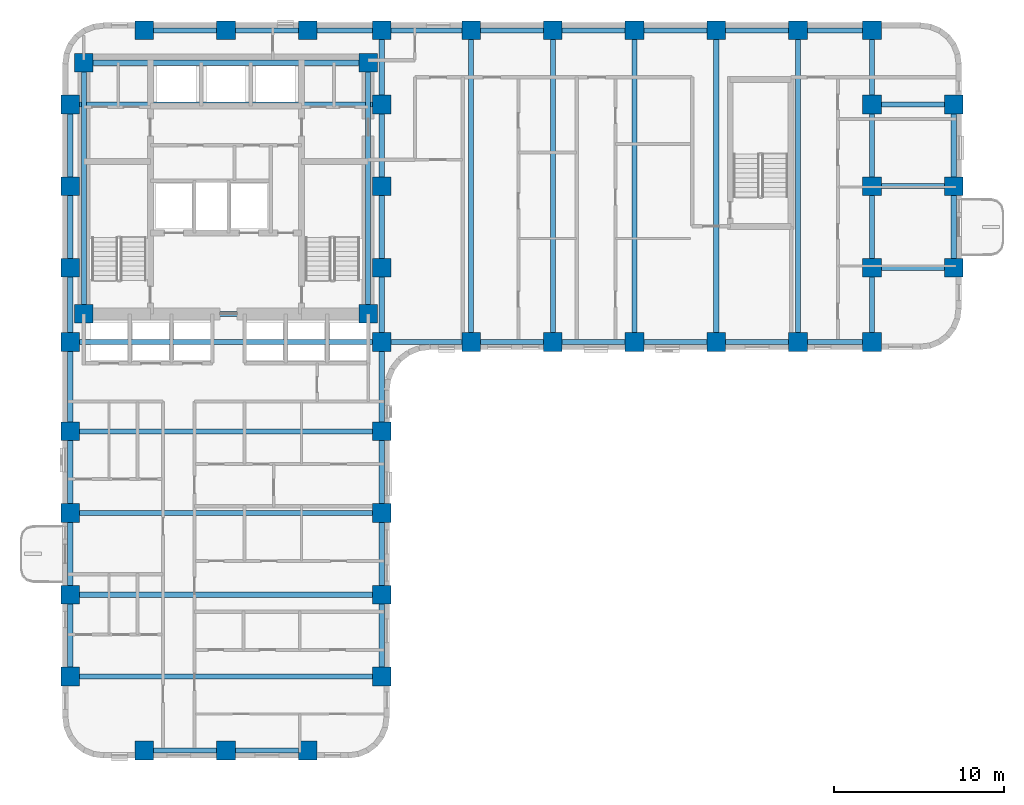
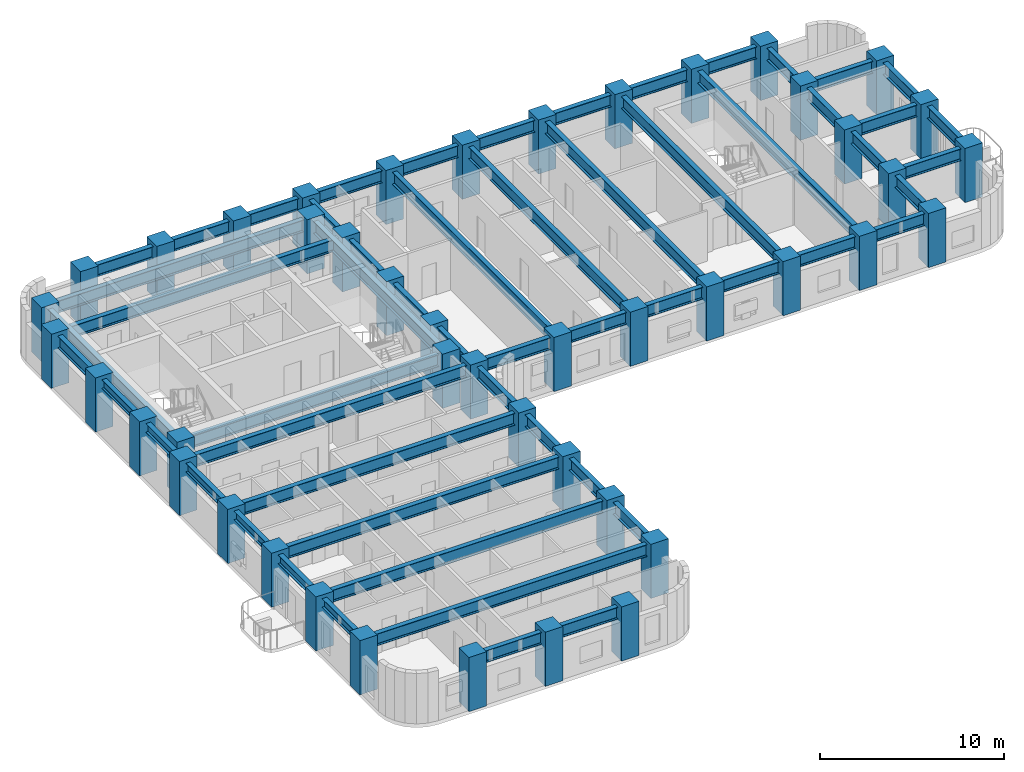
# One storey, part 1 of 11: 56 beams, 45 columns.
"""IFC4 building model written with IfcOpenShell, lengths in metres."""

from ifc_helpers import new_model, si_unit, direction, frame, origin, origin_2d, place, context, subcontext, project, spatial, rectangle, i_section, extrude, material, material_profile, profile_set, type_object, element, save


model = new_model("IFC4")

# Units and contexts
model_context = context("Model", 3, precision=1e-05, world=origin(), true_north=direction((0.0, 1.0)))
body_context = subcontext(model_context, "Body", "Model", "MODEL_VIEW")
ifc_project = project(units=[si_unit("LENGTHUNIT", "METRE"), si_unit("AREAUNIT", "SQUARE_METRE"), si_unit("VOLUMEUNIT", "CUBIC_METRE"), si_unit("PLANEANGLEUNIT", "RADIAN"), si_unit("MASSUNIT", "GRAM", prefix="KILO")], contexts=[model_context])

# Site, building, storey
site_placement = place(None, origin())
site = spatial("IfcSite", under=ifc_project, at=site_placement, CompositionType="ELEMENT")
building_placement = place(site_placement, origin())
building = spatial("IfcBuilding", under=site, at=building_placement, Name="Orvandelia Arch Residences", CompositionType="ELEMENT")
storey_placement = place(building_placement, frame((0.0, 0.0, 89.800048828125)))
storey = spatial("IfcBuildingStorey", under=building, at=storey_placement, Name="L23", CompositionType="ELEMENT", Elevation=89.800048828125)

# Columns
ifc_material_1 = material(Name="Concrete C80/95", Category="concrete")
ifc_material_profile_1 = material_profile(ifc_material_1, rectangle(XDim=1.10009765625, YDim=1.10009765625, at=origin_2d()), Name="Concrete C80/95", Category="concrete")
ifc_profile_set_1 = profile_set([ifc_material_profile_1], Name="Concrete C80/95")
column_type = type_object("IfcColumnType", Name="COL-TWR-1100", PredefinedType="COLUMN", material=ifc_profile_set_1)
for number, where, z_axis, x_axis, name in (
    (1, (5.25, 9.60009765625, 0.0), (0.0, 0.0, 1.0), (1.0, 0.0, 0.0), "Structural Column L23-W-W-96"),
    (2, (5.25, 14.39990234375, 0.0), (0.0, 0.0, 1.0), (1.0, 0.0, 0.0), "Structural Column L23-W-W-144"),
    (3, (5.25, 19.199951171875, 0.0), (0.0, 0.0, 1.0), (1.0, 0.0, 0.0), "Structural Column L23-W-W-192"),
    (4, (5.25, 24.0, 0.0), (0.0, 0.0, 1.0), (1.0, 0.0, 0.0), "Structural Column L23-W-W-240"),
    (5, (5.25, 29.25, 0.0), (0.0, 0.0, 1.0), (1.0, 0.0, 0.0), "Structural Column L23-W-W-292"),
    (6, (5.25, 33.60009765625, 0.0), (0.0, 0.0, 1.0), (1.0, 0.0, 0.0), "Structural Column L23-W-W-336"),
    (7, (5.25, 38.39990234375, 0.0), (0.0, 0.0, 1.0), (1.0, 0.0, 0.0), "Structural Column L23-W-W-384"),
    (8, (5.25, 43.199951171875, 0.0), (0.0, 0.0, 1.0), (1.0, 0.0, 0.0), "Structural Column L23-W-W-432"),
    (9, (6.050048828125, 30.89990234375, 0.0), (0.0, 0.0, 1.0), (1.0, 0.0, 0.0), "Structural Column L23-CR-SW"),
    (10, (6.050048828125, 45.64990234375, 0.0), (0.0, 0.0, 1.0), (1.0, 0.0, 0.0), "Structural Column L23-CR-NW"),
    (11, (9.60009765625, 5.25, 0.0), (0.0, 0.0, 1.0), (1.0, 0.0, 0.0), "Structural Column L23-W-S-96"),
    (12, (9.60009765625, 47.550048828125, 0.0), (0.0, 0.0, 1.0), (1.0, 0.0, 0.0), "Structural Column L23-W-N-96"),
    (13, (14.39990234375, 5.25, 0.0), (0.0, 0.0, 1.0), (1.0, 0.0, 0.0), "Structural Column L23-W-S-144"),
    (14, (14.39990234375, 47.550048828125, 0.0), (0.0, 0.0, 1.0), (1.0, 0.0, 0.0), "Structural Column L23-W-N-144"),
    (15, (19.199951171875, 5.25, 0.0), (0.0, 0.0, 1.0), (1.0, 0.0, 0.0), "Structural Column L23-W-S-192"),
    (16, (19.199951171875, 47.550048828125, 0.0), (0.0, 0.0, 1.0), (1.0, 0.0, 0.0), "Structural Column L23-W-N-192"),
    (17, (22.75, 30.89990234375, 0.0), (0.0, 0.0, 1.0), (1.0, 0.0, 0.0), "Structural Column L23-CR-SE"),
    (18, (22.75, 45.64990234375, 0.0), (0.0, 0.0, 1.0), (1.0, 0.0, 0.0), "Structural Column L23-CR-NE"),
    (19, (23.550048828125, 9.60009765625, 0.0), (0.0, 0.0, 1.0), (1.0, 0.0, 0.0), "Structural Column L23-W-E-96"),
    (20, (23.550048828125, 14.39990234375, 0.0), (0.0, 0.0, 1.0), (1.0, 0.0, 0.0), "Structural Column L23-W-E-144"),
    (21, (23.550048828125, 19.199951171875, 0.0), (0.0, 0.0, 1.0), (1.0, 0.0, 0.0), "Structural Column L23-W-E-192"),
    (22, (23.550048828125, 24.0, 0.0), (0.0, 0.0, 1.0), (1.0, 0.0, 0.0), "Structural Column L23-W-E-240"),
    (23, (23.550048828125, 29.25, 0.0), (0.0, 0.0, 1.0), (1.0, 0.0, 0.0), "Structural Column L23-W-E-292"),
    (24, (23.550048828125, 33.60009765625, 0.0), (0.0, 0.0, 1.0), (1.0, 0.0, 0.0), "Structural Column L23-W-E-336"),
    (25, (23.550048828125, 38.39990234375, 0.0), (0.0, 0.0, 1.0), (1.0, 0.0, 0.0), "Structural Column L23-W-E-384"),
    (26, (23.550048828125, 43.199951171875, 0.0), (0.0, 0.0, 1.0), (1.0, 0.0, 0.0), "Structural Column L23-W-E-432"),
    (27, (23.550048828125, 47.550048828125, 0.0), (0.0, 0.0, 1.0), (1.0, 0.0, 0.0), "Structural Column L23-W-N-235"),
    (28, (28.800048828125, 29.25, 0.0), (0.0, 0.0, 1.0), (1.0, 0.0, 0.0), "Structural Column L23-E-S-288"),
    (29, (28.800048828125, 47.550048828125, 0.0), (0.0, 0.0, 1.0), (1.0, 0.0, 0.0), "Structural Column L23-E-N-288"),
    (30, (33.60009765625, 29.25, 0.0), (0.0, 0.0, 1.0), (1.0, 0.0, 0.0), "Structural Column L23-E-S-336"),
    (31, (33.60009765625, 47.550048828125, 0.0), (0.0, 0.0, 1.0), (1.0, 0.0, 0.0), "Structural Column L23-E-N-336"),
    (32, (38.39990234375, 29.25, 0.0), (0.0, 0.0, 1.0), (1.0, 0.0, 0.0), "Structural Column L23-E-S-384"),
    (33, (38.39990234375, 47.550048828125, 0.0), (0.0, 0.0, 1.0), (1.0, 0.0, 0.0), "Structural Column L23-E-N-384"),
    (34, (43.199951171875, 29.25, 0.0), (0.0, 0.0, 1.0), (1.0, 0.0, 0.0), "Structural Column L23-E-S-432"),
    (35, (43.199951171875, 47.550048828125, 0.0), (0.0, 0.0, 1.0), (1.0, 0.0, 0.0), "Structural Column L23-E-N-432"),
    (36, (48.0, 29.25, 0.0), (0.0, 0.0, 1.0), (1.0, 0.0, 0.0), "Structural Column L23-E-S-480"),
    (37, (48.0, 47.550048828125, 0.0), (0.0, 0.0, 1.0), (1.0, 0.0, 0.0), "Structural Column L23-E-N-480"),
    (38, (52.35009765625, 29.25, 0.0), (0.0, 0.0, 1.0), (1.0, 0.0, 0.0), "Structural Column L23-E-S-523"),
    (39, (52.35009765625, 33.60009765625, 0.0), (0.0, 0.0, 1.0), (1.0, 0.0, 0.0), "Structural Column L23-E-523-336"),
    (40, (52.35009765625, 38.39990234375, 0.0), (0.0, 0.0, 1.0), (1.0, 0.0, 0.0), "Structural Column L23-E-523-384"),
    (41, (52.35009765625, 43.199951171875, 0.0), (0.0, 0.0, 1.0), (1.0, 0.0, 0.0), "Structural Column L23-E-523-432"),
    (42, (52.35009765625, 47.550048828125, 0.0), (0.0, 0.0, 1.0), (1.0, 0.0, 0.0), "Structural Column L23-E-N-523"),
    (43, (57.14990234375, 33.60009765625, 0.0), (0.0, 0.0, 1.0), (1.0, 0.0, 0.0), "Structural Column L23-E-571-336"),
    (44, (57.14990234375, 38.39990234375, 0.0), (0.0, 0.0, 1.0), (1.0, 0.0, 0.0), "Structural Column L23-E-571-384"),
    (45, (57.14990234375, 43.199951171875, 0.0), (0.0, 0.0, 1.0), (1.0, 0.0, 0.0), "Structural Column L23-E-571-432"),
):
    element("IfcColumn", number, at=place(storey_placement, frame(where, z_axis=z_axis, x_axis=x_axis)), inside=storey, type_object=column_type, Name=name, PredefinedType="COLUMN", context=body_context, shape_type="SweptSolid", body=[
        extrude(rectangle(XDim=1.10009765625, YDim=1.10009765625, at=origin_2d()), origin(), (0.0, 0.0, 1.0), 3.599853515625),
    ])

# Beams
ifc_material_2 = material(Name="Structural Steel SM355 (355 MPa)", Category="steel")
ifc_material_profile_2 = material_profile(ifc_material_2, i_section(OverallWidth=0.300048828125, OverallDepth=0.800048828125, WebThickness=0.013916015625, FlangeThickness=0.02587890625, FilletRadius=0.02587890625, at=origin_2d()), Name="Structural Steel SM355 (355 MPa)", Category="steel")
ifc_profile_set_2 = profile_set([ifc_material_profile_2], Name="Structural Steel SM355 (355 MPa)")
beam_type_1 = type_object("IfcBeamType", Name="BM-GRD-H800", PredefinedType="BEAM", material=ifc_profile_set_2)
beam_1_placement = place(storey_placement, frame((5.25, 38.39990234375, 2.949951171875), z_axis=(0.0, 1.0, 0.0), x_axis=(-1.0, 0.0, 0.0)))
element("IfcBeam", 46, at=beam_1_placement, inside=storey, type_object=beam_type_1, Name="Structural Frame Beam L23-NS-007", PredefinedType="BEAM", context=body_context, shape_type="SweptSolid", body=[
    extrude(i_section(OverallWidth=0.300048828125, OverallDepth=0.800048828125, WebThickness=0.013916015625, FlangeThickness=0.02587890625, FilletRadius=0.02587890625, at=origin_2d()), origin(), (0.0, 0.0, 1.0), 4.800048828125),
])
for number, where, z_axis, x_axis, name in (
    (47, (6.050048828125, 30.89990234375, 2.949951171875), (0.0, 1.0, 0.0), (-1.0, 0.0, 0.0), "Structural Frame Beam L23-NS-008"),
    (48, (22.75, 30.89990234375, 2.949951171875), (0.0, 1.0, 0.0), (-1.0, 0.0, 0.0), "Structural Frame Beam L23-NS-009"),
):
    element("IfcBeam", number, at=place(storey_placement, frame(where, z_axis=z_axis, x_axis=x_axis)), inside=storey, type_object=beam_type_1, Name=name, PredefinedType="BEAM", context=body_context, shape_type="SweptSolid", body=[
        extrude(i_section(OverallWidth=0.300048828125, OverallDepth=0.800048828125, WebThickness=0.013916015625, FlangeThickness=0.02587890625, FilletRadius=0.02587890625, at=origin_2d()), origin(), (0.0, 0.0, 1.0), 14.75),
    ])
beam_2_placement = place(storey_placement, frame((23.550048828125, 9.60009765625, 2.949951171875), z_axis=(0.0, 1.0, 0.0), x_axis=(-1.0, 0.0, 0.0)))
element("IfcBeam", 49, at=beam_2_placement, inside=storey, type_object=beam_type_1, Name="Structural Frame Beam L23-NS-010", PredefinedType="BEAM", context=body_context, shape_type="SweptSolid", body=[
    extrude(i_section(OverallWidth=0.300048828125, OverallDepth=0.800048828125, WebThickness=0.013916015625, FlangeThickness=0.02587890625, FilletRadius=0.02587890625, at=origin_2d()), origin(), (0.0, 0.0, 1.0), 4.7998046875),
])
for number, where, z_axis, x_axis, name in (
    (50, (23.550048828125, 14.39990234375, 2.949951171875), (0.0, 1.0, 0.0), (-1.0, 0.0, 0.0), "Structural Frame Beam L23-NS-011"),
    (51, (23.550048828125, 19.199951171875, 2.949951171875), (0.0, 1.0, 0.0), (-1.0, 0.0, 0.0), "Structural Frame Beam L23-NS-012"),
):
    element("IfcBeam", number, at=place(storey_placement, frame(where, z_axis=z_axis, x_axis=x_axis)), inside=storey, type_object=beam_type_1, Name=name, PredefinedType="BEAM", context=body_context, shape_type="SweptSolid", body=[
        extrude(i_section(OverallWidth=0.300048828125, OverallDepth=0.800048828125, WebThickness=0.013916015625, FlangeThickness=0.02587890625, FilletRadius=0.02587890625, at=origin_2d()), origin(), (0.0, 0.0, 1.0), 4.800048828125),
    ])
beam_3_placement = place(storey_placement, frame((23.550048828125, 24.0, 2.949951171875), z_axis=(0.0, 1.0, 0.0), x_axis=(-1.0, 0.0, 0.0)))
element("IfcBeam", 52, at=beam_3_placement, inside=storey, type_object=beam_type_1, Name="Structural Frame Beam L23-NS-013", PredefinedType="BEAM", context=body_context, shape_type="SweptSolid", body=[
    extrude(i_section(OverallWidth=0.300048828125, OverallDepth=0.800048828125, WebThickness=0.013916015625, FlangeThickness=0.02587890625, FilletRadius=0.02587890625, at=origin_2d()), origin(), (0.0, 0.0, 1.0), 5.25),
])
beam_4_placement = place(storey_placement, frame((23.550048828125, 29.25, 2.949951171875), z_axis=(0.0, 1.0, 0.0), x_axis=(-1.0, 0.0, 0.0)))
element("IfcBeam", 53, at=beam_4_placement, inside=storey, type_object=beam_type_1, Name="Structural Frame Beam L23-NS-014", PredefinedType="BEAM", context=body_context, shape_type="SweptSolid", body=[
    extrude(i_section(OverallWidth=0.300048828125, OverallDepth=0.800048828125, WebThickness=0.013916015625, FlangeThickness=0.02587890625, FilletRadius=0.02587890625, at=origin_2d()), origin(), (0.0, 0.0, 1.0), 4.35009765625),
])
beam_5_placement = place(storey_placement, frame((23.550048828125, 33.60009765625, 2.949951171875), z_axis=(0.0, 1.0, 0.0), x_axis=(-1.0, 0.0, 0.0)))
element("IfcBeam", 54, at=beam_5_placement, inside=storey, type_object=beam_type_1, Name="Structural Frame Beam L23-NS-015", PredefinedType="BEAM", context=body_context, shape_type="SweptSolid", body=[
    extrude(i_section(OverallWidth=0.300048828125, OverallDepth=0.800048828125, WebThickness=0.013916015625, FlangeThickness=0.02587890625, FilletRadius=0.02587890625, at=origin_2d()), origin(), (0.0, 0.0, 1.0), 4.7998046875),
])
beam_6_placement = place(storey_placement, frame((23.550048828125, 38.39990234375, 2.949951171875), z_axis=(0.0, 1.0, 0.0), x_axis=(-1.0, 0.0, 0.0)))
element("IfcBeam", 55, at=beam_6_placement, inside=storey, type_object=beam_type_1, Name="Structural Frame Beam L23-NS-016", PredefinedType="BEAM", context=body_context, shape_type="SweptSolid", body=[
    extrude(i_section(OverallWidth=0.300048828125, OverallDepth=0.800048828125, WebThickness=0.013916015625, FlangeThickness=0.02587890625, FilletRadius=0.02587890625, at=origin_2d()), origin(), (0.0, 0.0, 1.0), 4.800048828125),
])
beam_7_placement = place(storey_placement, frame((23.550048828125, 43.199951171875, 2.949951171875), z_axis=(0.0, 1.0, 0.0), x_axis=(-1.0, 0.0, 0.0)))
element("IfcBeam", 56, at=beam_7_placement, inside=storey, type_object=beam_type_1, Name="Structural Frame Beam L23-NS-017", PredefinedType="BEAM", context=body_context, shape_type="SweptSolid", body=[
    extrude(i_section(OverallWidth=0.300048828125, OverallDepth=0.800048828125, WebThickness=0.013916015625, FlangeThickness=0.02587890625, FilletRadius=0.02587890625, at=origin_2d()), origin(), (0.0, 0.0, 1.0), 4.35009765625),
])
for number, where, z_axis, x_axis, name in (
    (57, (28.800048828125, 29.25, 2.949951171875), (0.0, 1.0, 0.0), (-1.0, 0.0, 0.0), "Structural Frame Beam L23-NS-018"),
    (58, (33.60009765625, 29.25, 2.949951171875), (0.0, 1.0, 0.0), (-1.0, 0.0, 0.0), "Structural Frame Beam L23-NS-019"),
    (59, (38.39990234375, 29.25, 2.949951171875), (0.0, 1.0, 0.0), (-1.0, 0.0, 0.0), "Structural Frame Beam L23-NS-020"),
    (60, (43.199951171875, 29.25, 2.949951171875), (0.0, 1.0, 0.0), (-1.0, 0.0, 0.0), "Structural Frame Beam L23-NS-021"),
    (61, (48.0, 29.25, 2.949951171875), (0.0, 1.0, 0.0), (-1.0, 0.0, 0.0), "Structural Frame Beam L23-NS-022"),
):
    element("IfcBeam", number, at=place(storey_placement, frame(where, z_axis=z_axis, x_axis=x_axis)), inside=storey, type_object=beam_type_1, Name=name, PredefinedType="BEAM", context=body_context, shape_type="SweptSolid", body=[
        extrude(i_section(OverallWidth=0.300048828125, OverallDepth=0.800048828125, WebThickness=0.013916015625, FlangeThickness=0.02587890625, FilletRadius=0.02587890625, at=origin_2d()), origin(), (0.0, 0.0, 1.0), 18.300048828125),
    ])
beam_8_placement = place(storey_placement, frame((52.35009765625, 29.25, 2.949951171875), z_axis=(0.0, 1.0, 0.0), x_axis=(-1.0, 0.0, 0.0)))
element("IfcBeam", 62, at=beam_8_placement, inside=storey, type_object=beam_type_1, Name="Structural Frame Beam L23-NS-023", PredefinedType="BEAM", context=body_context, shape_type="SweptSolid", body=[
    extrude(i_section(OverallWidth=0.300048828125, OverallDepth=0.800048828125, WebThickness=0.013916015625, FlangeThickness=0.02587890625, FilletRadius=0.02587890625, at=origin_2d()), origin(), (0.0, 0.0, 1.0), 4.35009765625),
])
beam_9_placement = place(storey_placement, frame((52.35009765625, 33.60009765625, 2.949951171875), z_axis=(0.0, 1.0, 0.0), x_axis=(-1.0, 0.0, 0.0)))
element("IfcBeam", 63, at=beam_9_placement, inside=storey, type_object=beam_type_1, Name="Structural Frame Beam L23-NS-024", PredefinedType="BEAM", context=body_context, shape_type="SweptSolid", body=[
    extrude(i_section(OverallWidth=0.300048828125, OverallDepth=0.800048828125, WebThickness=0.013916015625, FlangeThickness=0.02587890625, FilletRadius=0.02587890625, at=origin_2d()), origin(), (0.0, 0.0, 1.0), 4.7998046875),
])
beam_10_placement = place(storey_placement, frame((52.35009765625, 38.39990234375, 2.949951171875), z_axis=(0.0, 1.0, 0.0), x_axis=(-1.0, 0.0, 0.0)))
element("IfcBeam", 64, at=beam_10_placement, inside=storey, type_object=beam_type_1, Name="Structural Frame Beam L23-NS-025", PredefinedType="BEAM", context=body_context, shape_type="SweptSolid", body=[
    extrude(i_section(OverallWidth=0.300048828125, OverallDepth=0.800048828125, WebThickness=0.013916015625, FlangeThickness=0.02587890625, FilletRadius=0.02587890625, at=origin_2d()), origin(), (0.0, 0.0, 1.0), 4.800048828125),
])
beam_11_placement = place(storey_placement, frame((52.35009765625, 43.199951171875, 2.949951171875), z_axis=(0.0, 1.0, 0.0), x_axis=(-1.0, 0.0, 0.0)))
element("IfcBeam", 65, at=beam_11_placement, inside=storey, type_object=beam_type_1, Name="Structural Frame Beam L23-NS-026", PredefinedType="BEAM", context=body_context, shape_type="SweptSolid", body=[
    extrude(i_section(OverallWidth=0.300048828125, OverallDepth=0.800048828125, WebThickness=0.013916015625, FlangeThickness=0.02587890625, FilletRadius=0.02587890625, at=origin_2d()), origin(), (0.0, 0.0, 1.0), 4.35009765625),
])
beam_12_placement = place(storey_placement, frame((57.14990234375, 33.60009765625, 2.949951171875), z_axis=(0.0, 1.0, 0.0), x_axis=(-1.0, 0.0, 0.0)))
element("IfcBeam", 66, at=beam_12_placement, inside=storey, type_object=beam_type_1, Name="Structural Frame Beam L23-NS-027", PredefinedType="BEAM", context=body_context, shape_type="SweptSolid", body=[
    extrude(i_section(OverallWidth=0.300048828125, OverallDepth=0.800048828125, WebThickness=0.013916015625, FlangeThickness=0.02587890625, FilletRadius=0.02587890625, at=origin_2d()), origin(), (0.0, 0.0, 1.0), 4.7998046875),
])
beam_13_placement = place(storey_placement, frame((57.14990234375, 38.39990234375, 2.949951171875), z_axis=(0.0, 1.0, 0.0), x_axis=(-1.0, 0.0, 0.0)))
element("IfcBeam", 67, at=beam_13_placement, inside=storey, type_object=beam_type_1, Name="Structural Frame Beam L23-NS-028", PredefinedType="BEAM", context=body_context, shape_type="SweptSolid", body=[
    extrude(i_section(OverallWidth=0.300048828125, OverallDepth=0.800048828125, WebThickness=0.013916015625, FlangeThickness=0.02587890625, FilletRadius=0.02587890625, at=origin_2d()), origin(), (0.0, 0.0, 1.0), 4.800048828125),
])
beam_14_placement = place(storey_placement, frame((9.60009765625, 5.25, 2.949951171875), z_axis=(1.0, 0.0, 0.0), x_axis=(0.0, 1.0, 0.0)))
element("IfcBeam", 68, at=beam_14_placement, inside=storey, type_object=beam_type_1, Name="Structural Frame Girder L23-EW-029", PredefinedType="BEAM", context=body_context, shape_type="SweptSolid", body=[
    extrude(i_section(OverallWidth=0.300048828125, OverallDepth=0.800048828125, WebThickness=0.013916015625, FlangeThickness=0.02587890625, FilletRadius=0.02587890625, at=origin_2d()), origin(), (0.0, 0.0, 1.0), 4.7998046875),
])
beam_15_placement = place(storey_placement, frame((14.39990234375, 5.25, 2.949951171875), z_axis=(1.0, 0.0, 0.0), x_axis=(0.0, 1.0, 0.0)))
element("IfcBeam", 69, at=beam_15_placement, inside=storey, type_object=beam_type_1, Name="Structural Frame Girder L23-EW-030", PredefinedType="BEAM", context=body_context, shape_type="SweptSolid", body=[
    extrude(i_section(OverallWidth=0.300048828125, OverallDepth=0.800048828125, WebThickness=0.013916015625, FlangeThickness=0.02587890625, FilletRadius=0.02587890625, at=origin_2d()), origin(), (0.0, 0.0, 1.0), 4.800048828125),
])
for number, where, z_axis, x_axis, name in (
    (70, (5.25, 9.60009765625, 2.949951171875), (1.0, 0.0, 0.0), (0.0, 1.0, 0.0), "Structural Frame Girder L23-EW-031"),
    (71, (5.25, 14.39990234375, 2.949951171875), (1.0, 0.0, 0.0), (0.0, 1.0, 0.0), "Structural Frame Girder L23-EW-032"),
    (72, (5.25, 19.199951171875, 2.949951171875), (1.0, 0.0, 0.0), (0.0, 1.0, 0.0), "Structural Frame Girder L23-EW-033"),
    (73, (5.25, 24.0, 2.949951171875), (1.0, 0.0, 0.0), (0.0, 1.0, 0.0), "Structural Frame Girder L23-EW-034"),
    (74, (5.25, 29.25, 2.949951171875), (1.0, 0.0, 0.0), (0.0, 1.0, 0.0), "Structural Frame Girder L23-EW-035"),
):
    element("IfcBeam", number, at=place(storey_placement, frame(where, z_axis=z_axis, x_axis=x_axis)), inside=storey, type_object=beam_type_1, Name=name, PredefinedType="BEAM", context=body_context, shape_type="SweptSolid", body=[
        extrude(i_section(OverallWidth=0.300048828125, OverallDepth=0.800048828125, WebThickness=0.013916015625, FlangeThickness=0.02587890625, FilletRadius=0.02587890625, at=origin_2d()), origin(), (0.0, 0.0, 1.0), 18.300048828125),
    ])
beam_16_placement = place(storey_placement, frame((23.550048828125, 29.25, 2.949951171875), z_axis=(1.0, 0.0, 0.0), x_axis=(0.0, 1.0, 0.0)))
element("IfcBeam", 75, at=beam_16_placement, inside=storey, type_object=beam_type_1, Name="Structural Frame Girder L23-EW-036", PredefinedType="BEAM", context=body_context, shape_type="SweptSolid", body=[
    extrude(i_section(OverallWidth=0.300048828125, OverallDepth=0.800048828125, WebThickness=0.013916015625, FlangeThickness=0.02587890625, FilletRadius=0.02587890625, at=origin_2d()), origin(), (0.0, 0.0, 1.0), 5.25),
])
beam_17_placement = place(storey_placement, frame((28.800048828125, 29.25, 2.949951171875), z_axis=(1.0, 0.0, 0.0), x_axis=(0.0, 1.0, 0.0)))
element("IfcBeam", 76, at=beam_17_placement, inside=storey, type_object=beam_type_1, Name="Structural Frame Girder L23-EW-037", PredefinedType="BEAM", context=body_context, shape_type="SweptSolid", body=[
    extrude(i_section(OverallWidth=0.300048828125, OverallDepth=0.800048828125, WebThickness=0.013916015625, FlangeThickness=0.02587890625, FilletRadius=0.02587890625, at=origin_2d()), origin(), (0.0, 0.0, 1.0), 4.800048828125),
])
beam_18_placement = place(storey_placement, frame((33.60009765625, 29.25, 2.949951171875), z_axis=(1.0, 0.0, 0.0), x_axis=(0.0, 1.0, 0.0)))
element("IfcBeam", 77, at=beam_18_placement, inside=storey, type_object=beam_type_1, Name="Structural Frame Girder L23-EW-038", PredefinedType="BEAM", context=body_context, shape_type="SweptSolid", body=[
    extrude(i_section(OverallWidth=0.300048828125, OverallDepth=0.800048828125, WebThickness=0.013916015625, FlangeThickness=0.02587890625, FilletRadius=0.02587890625, at=origin_2d()), origin(), (0.0, 0.0, 1.0), 4.7998046875),
])
for number, where, z_axis, x_axis, name in (
    (78, (38.39990234375, 29.25, 2.949951171875), (1.0, 0.0, 0.0), (0.0, 1.0, 0.0), "Structural Frame Girder L23-EW-039"),
    (79, (43.199951171875, 29.25, 2.949951171875), (1.0, 0.0, 0.0), (0.0, 1.0, 0.0), "Structural Frame Girder L23-EW-040"),
):
    element("IfcBeam", number, at=place(storey_placement, frame(where, z_axis=z_axis, x_axis=x_axis)), inside=storey, type_object=beam_type_1, Name=name, PredefinedType="BEAM", context=body_context, shape_type="SweptSolid", body=[
        extrude(i_section(OverallWidth=0.300048828125, OverallDepth=0.800048828125, WebThickness=0.013916015625, FlangeThickness=0.02587890625, FilletRadius=0.02587890625, at=origin_2d()), origin(), (0.0, 0.0, 1.0), 4.800048828125),
    ])
beam_19_placement = place(storey_placement, frame((48.0, 29.25, 2.949951171875), z_axis=(1.0, 0.0, 0.0), x_axis=(0.0, 1.0, 0.0)))
element("IfcBeam", 80, at=beam_19_placement, inside=storey, type_object=beam_type_1, Name="Structural Frame Girder L23-EW-041", PredefinedType="BEAM", context=body_context, shape_type="SweptSolid", body=[
    extrude(i_section(OverallWidth=0.300048828125, OverallDepth=0.800048828125, WebThickness=0.013916015625, FlangeThickness=0.02587890625, FilletRadius=0.02587890625, at=origin_2d()), origin(), (0.0, 0.0, 1.0), 4.35009765625),
])
beam_20_placement = place(storey_placement, frame((6.050048828125, 30.89990234375, 2.949951171875), z_axis=(1.0, 0.0, 0.0), x_axis=(0.0, 1.0, 0.0)))
element("IfcBeam", 81, at=beam_20_placement, inside=storey, type_object=beam_type_1, Name="Structural Frame Girder L23-EW-042", PredefinedType="BEAM", context=body_context, shape_type="SweptSolid", body=[
    extrude(i_section(OverallWidth=0.300048828125, OverallDepth=0.800048828125, WebThickness=0.013916015625, FlangeThickness=0.02587890625, FilletRadius=0.02587890625, at=origin_2d()), origin(), (0.0, 0.0, 1.0), 16.699951171875),
])
for number, where, z_axis, x_axis, name in (
    (82, (52.35009765625, 33.60009765625, 2.949951171875), (1.0, 0.0, 0.0), (0.0, 1.0, 0.0), "Structural Frame Girder L23-EW-044"),
    (83, (52.35009765625, 38.39990234375, 2.949951171875), (1.0, 0.0, 0.0), (0.0, 1.0, 0.0), "Structural Frame Girder L23-EW-046"),
):
    element("IfcBeam", number, at=place(storey_placement, frame(where, z_axis=z_axis, x_axis=x_axis)), inside=storey, type_object=beam_type_1, Name=name, PredefinedType="BEAM", context=body_context, shape_type="SweptSolid", body=[
        extrude(i_section(OverallWidth=0.300048828125, OverallDepth=0.800048828125, WebThickness=0.013916015625, FlangeThickness=0.02587890625, FilletRadius=0.02587890625, at=origin_2d()), origin(), (0.0, 0.0, 1.0), 4.7998046875),
    ])
beam_21_placement = place(storey_placement, frame((5.25, 43.199951171875, 2.949951171875), z_axis=(1.0, 0.0, 0.0), x_axis=(0.0, 1.0, 0.0)))
element("IfcBeam", 84, at=beam_21_placement, inside=storey, type_object=beam_type_1, Name="Structural Frame Girder L23-EW-047", PredefinedType="BEAM", context=body_context, shape_type="SweptSolid", body=[
    extrude(i_section(OverallWidth=0.300048828125, OverallDepth=0.800048828125, WebThickness=0.013916015625, FlangeThickness=0.02587890625, FilletRadius=0.02587890625, at=origin_2d()), origin(), (0.0, 0.0, 1.0), 18.300048828125),
])
beam_22_placement = place(storey_placement, frame((52.35009765625, 43.199951171875, 2.949951171875), z_axis=(1.0, 0.0, 0.0), x_axis=(0.0, 1.0, 0.0)))
element("IfcBeam", 85, at=beam_22_placement, inside=storey, type_object=beam_type_1, Name="Structural Frame Girder L23-EW-048", PredefinedType="BEAM", context=body_context, shape_type="SweptSolid", body=[
    extrude(i_section(OverallWidth=0.300048828125, OverallDepth=0.800048828125, WebThickness=0.013916015625, FlangeThickness=0.02587890625, FilletRadius=0.02587890625, at=origin_2d()), origin(), (0.0, 0.0, 1.0), 4.7998046875),
])
beam_23_placement = place(storey_placement, frame((6.050048828125, 45.64990234375, 2.949951171875), z_axis=(1.0, 0.0, 0.0), x_axis=(0.0, 1.0, 0.0)))
element("IfcBeam", 86, at=beam_23_placement, inside=storey, type_object=beam_type_1, Name="Structural Frame Girder L23-EW-049", PredefinedType="BEAM", context=body_context, shape_type="SweptSolid", body=[
    extrude(i_section(OverallWidth=0.300048828125, OverallDepth=0.800048828125, WebThickness=0.013916015625, FlangeThickness=0.02587890625, FilletRadius=0.02587890625, at=origin_2d()), origin(), (0.0, 0.0, 1.0), 16.699951171875),
])
beam_24_placement = place(storey_placement, frame((9.60009765625, 47.550048828125, 2.949951171875), z_axis=(1.0, 0.0, 0.0), x_axis=(0.0, 1.0, 0.0)))
element("IfcBeam", 87, at=beam_24_placement, inside=storey, type_object=beam_type_1, Name="Structural Frame Girder L23-EW-050", PredefinedType="BEAM", context=body_context, shape_type="SweptSolid", body=[
    extrude(i_section(OverallWidth=0.300048828125, OverallDepth=0.800048828125, WebThickness=0.013916015625, FlangeThickness=0.02587890625, FilletRadius=0.02587890625, at=origin_2d()), origin(), (0.0, 0.0, 1.0), 4.7998046875),
])
beam_25_placement = place(storey_placement, frame((14.39990234375, 47.550048828125, 2.949951171875), z_axis=(1.0, 0.0, 0.0), x_axis=(0.0, 1.0, 0.0)))
element("IfcBeam", 88, at=beam_25_placement, inside=storey, type_object=beam_type_1, Name="Structural Frame Girder L23-EW-051", PredefinedType="BEAM", context=body_context, shape_type="SweptSolid", body=[
    extrude(i_section(OverallWidth=0.300048828125, OverallDepth=0.800048828125, WebThickness=0.013916015625, FlangeThickness=0.02587890625, FilletRadius=0.02587890625, at=origin_2d()), origin(), (0.0, 0.0, 1.0), 4.800048828125),
])
beam_26_placement = place(storey_placement, frame((19.199951171875, 47.550048828125, 2.949951171875), z_axis=(1.0, 0.0, 0.0), x_axis=(0.0, 1.0, 0.0)))
element("IfcBeam", 89, at=beam_26_placement, inside=storey, type_object=beam_type_1, Name="Structural Frame Girder L23-EW-052", PredefinedType="BEAM", context=body_context, shape_type="SweptSolid", body=[
    extrude(i_section(OverallWidth=0.300048828125, OverallDepth=0.800048828125, WebThickness=0.013916015625, FlangeThickness=0.02587890625, FilletRadius=0.02587890625, at=origin_2d()), origin(), (0.0, 0.0, 1.0), 4.35009765625),
])
beam_27_placement = place(storey_placement, frame((23.550048828125, 47.550048828125, 2.949951171875), z_axis=(1.0, 0.0, 0.0), x_axis=(0.0, 1.0, 0.0)))
element("IfcBeam", 90, at=beam_27_placement, inside=storey, type_object=beam_type_1, Name="Structural Frame Girder L23-EW-053", PredefinedType="BEAM", context=body_context, shape_type="SweptSolid", body=[
    extrude(i_section(OverallWidth=0.300048828125, OverallDepth=0.800048828125, WebThickness=0.013916015625, FlangeThickness=0.02587890625, FilletRadius=0.02587890625, at=origin_2d()), origin(), (0.0, 0.0, 1.0), 5.25),
])
beam_28_placement = place(storey_placement, frame((28.800048828125, 47.550048828125, 2.949951171875), z_axis=(1.0, 0.0, 0.0), x_axis=(0.0, 1.0, 0.0)))
element("IfcBeam", 91, at=beam_28_placement, inside=storey, type_object=beam_type_1, Name="Structural Frame Girder L23-EW-054", PredefinedType="BEAM", context=body_context, shape_type="SweptSolid", body=[
    extrude(i_section(OverallWidth=0.300048828125, OverallDepth=0.800048828125, WebThickness=0.013916015625, FlangeThickness=0.02587890625, FilletRadius=0.02587890625, at=origin_2d()), origin(), (0.0, 0.0, 1.0), 4.800048828125),
])
beam_29_placement = place(storey_placement, frame((33.60009765625, 47.550048828125, 2.949951171875), z_axis=(1.0, 0.0, 0.0), x_axis=(0.0, 1.0, 0.0)))
element("IfcBeam", 92, at=beam_29_placement, inside=storey, type_object=beam_type_1, Name="Structural Frame Girder L23-EW-055", PredefinedType="BEAM", context=body_context, shape_type="SweptSolid", body=[
    extrude(i_section(OverallWidth=0.300048828125, OverallDepth=0.800048828125, WebThickness=0.013916015625, FlangeThickness=0.02587890625, FilletRadius=0.02587890625, at=origin_2d()), origin(), (0.0, 0.0, 1.0), 4.7998046875),
])
for number, where, z_axis, x_axis, name in (
    (93, (38.39990234375, 47.550048828125, 2.949951171875), (1.0, 0.0, 0.0), (0.0, 1.0, 0.0), "Structural Frame Girder L23-EW-056"),
    (94, (43.199951171875, 47.550048828125, 2.949951171875), (1.0, 0.0, 0.0), (0.0, 1.0, 0.0), "Structural Frame Girder L23-EW-057"),
):
    element("IfcBeam", number, at=place(storey_placement, frame(where, z_axis=z_axis, x_axis=x_axis)), inside=storey, type_object=beam_type_1, Name=name, PredefinedType="BEAM", context=body_context, shape_type="SweptSolid", body=[
        extrude(i_section(OverallWidth=0.300048828125, OverallDepth=0.800048828125, WebThickness=0.013916015625, FlangeThickness=0.02587890625, FilletRadius=0.02587890625, at=origin_2d()), origin(), (0.0, 0.0, 1.0), 4.800048828125),
    ])
beam_30_placement = place(storey_placement, frame((48.0, 47.550048828125, 2.949951171875), z_axis=(1.0, 0.0, 0.0), x_axis=(0.0, 1.0, 0.0)))
element("IfcBeam", 95, at=beam_30_placement, inside=storey, type_object=beam_type_1, Name="Structural Frame Girder L23-EW-058", PredefinedType="BEAM", context=body_context, shape_type="SweptSolid", body=[
    extrude(i_section(OverallWidth=0.300048828125, OverallDepth=0.800048828125, WebThickness=0.013916015625, FlangeThickness=0.02587890625, FilletRadius=0.02587890625, at=origin_2d()), origin(), (0.0, 0.0, 1.0), 4.35009765625),
])
ifc_material_profile_3 = material_profile(ifc_material_2, i_section(OverallWidth=0.300048828125, OverallDepth=0.587890625, WebThickness=0.011962890625, FlangeThickness=0.02001953125, FilletRadius=0.02197265625, at=origin_2d()), Name="Structural Steel SM355 (355 MPa)", Category="steel")
ifc_profile_set_3 = profile_set([ifc_material_profile_3], Name="Structural Steel SM355 (355 MPa)")
beam_type_2 = type_object("IfcBeamType", Name="BM-SPN-H588", PredefinedType="SPANDREL", material=ifc_profile_set_3)
beam_31_placement = place(storey_placement, frame((5.25, 9.60009765625, 3.055908203125), z_axis=(0.0, 1.0, 0.0), x_axis=(-1.0, 0.0, 0.0)))
element("IfcBeam", 96, at=beam_31_placement, inside=storey, type_object=beam_type_2, Name="Structural Frame Beam L23-NS-001", PredefinedType="SPANDREL", context=body_context, shape_type="SweptSolid", body=[
    extrude(i_section(OverallWidth=0.300048828125, OverallDepth=0.587890625, WebThickness=0.011962890625, FlangeThickness=0.02001953125, FilletRadius=0.02197265625, at=origin_2d()), origin(), (0.0, 0.0, 1.0), 4.7998046875),
])
for number, where, z_axis, x_axis, name in (
    (97, (5.25, 14.39990234375, 3.055908203125), (0.0, 1.0, 0.0), (-1.0, 0.0, 0.0), "Structural Frame Beam L23-NS-002"),
    (98, (5.25, 19.199951171875, 3.055908203125), (0.0, 1.0, 0.0), (-1.0, 0.0, 0.0), "Structural Frame Beam L23-NS-003"),
):
    element("IfcBeam", number, at=place(storey_placement, frame(where, z_axis=z_axis, x_axis=x_axis)), inside=storey, type_object=beam_type_2, Name=name, PredefinedType="SPANDREL", context=body_context, shape_type="SweptSolid", body=[
        extrude(i_section(OverallWidth=0.300048828125, OverallDepth=0.587890625, WebThickness=0.011962890625, FlangeThickness=0.02001953125, FilletRadius=0.02197265625, at=origin_2d()), origin(), (0.0, 0.0, 1.0), 4.800048828125),
    ])
beam_32_placement = place(storey_placement, frame((5.25, 24.0, 3.055908203125), z_axis=(0.0, 1.0, 0.0), x_axis=(-1.0, 0.0, 0.0)))
element("IfcBeam", 99, at=beam_32_placement, inside=storey, type_object=beam_type_2, Name="Structural Frame Beam L23-NS-004", PredefinedType="SPANDREL", context=body_context, shape_type="SweptSolid", body=[
    extrude(i_section(OverallWidth=0.300048828125, OverallDepth=0.587890625, WebThickness=0.011962890625, FlangeThickness=0.02001953125, FilletRadius=0.02197265625, at=origin_2d()), origin(), (0.0, 0.0, 1.0), 5.25),
])
beam_33_placement = place(storey_placement, frame((5.25, 29.25, 3.055908203125), z_axis=(0.0, 1.0, 0.0), x_axis=(-1.0, 0.0, 0.0)))
element("IfcBeam", 100, at=beam_33_placement, inside=storey, type_object=beam_type_2, Name="Structural Frame Beam L23-NS-005", PredefinedType="SPANDREL", context=body_context, shape_type="SweptSolid", body=[
    extrude(i_section(OverallWidth=0.300048828125, OverallDepth=0.587890625, WebThickness=0.011962890625, FlangeThickness=0.02001953125, FilletRadius=0.02197265625, at=origin_2d()), origin(), (0.0, 0.0, 1.0), 4.35009765625),
])
beam_34_placement = place(storey_placement, frame((5.25, 33.60009765625, 3.055908203125), z_axis=(0.0, 1.0, 0.0), x_axis=(-1.0, 0.0, 0.0)))
element("IfcBeam", 101, at=beam_34_placement, inside=storey, type_object=beam_type_2, Name="Structural Frame Beam L23-NS-006", PredefinedType="SPANDREL", context=body_context, shape_type="SweptSolid", body=[
    extrude(i_section(OverallWidth=0.300048828125, OverallDepth=0.587890625, WebThickness=0.011962890625, FlangeThickness=0.02001953125, FilletRadius=0.02197265625, at=origin_2d()), origin(), (0.0, 0.0, 1.0), 4.7998046875),
])

save(model, "model.ifc")
